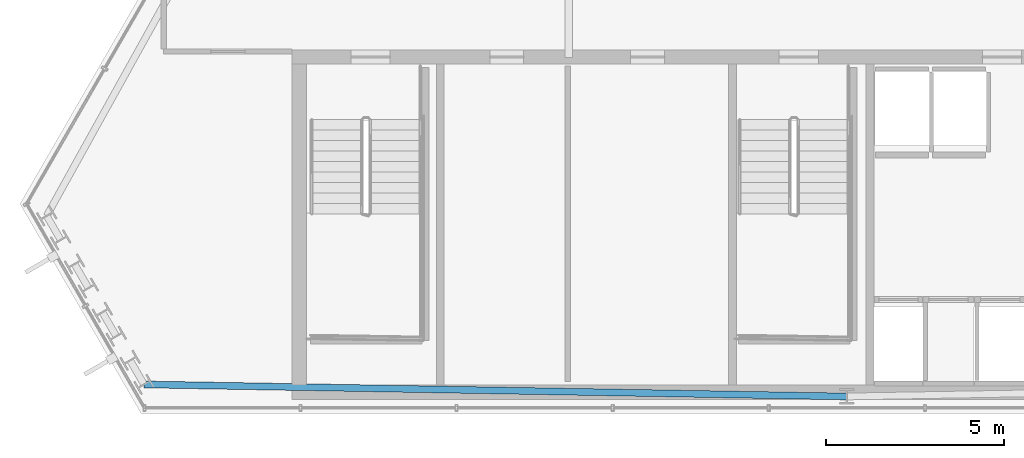
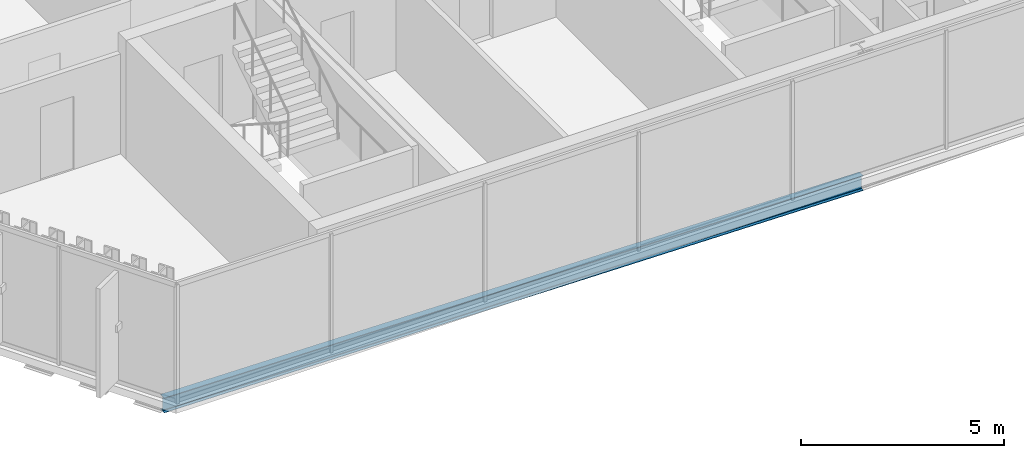
# One storey, part 3 of 29: 1 beam.
"""IFC4 building model written with IfcOpenShell, lengths in metres."""

from ifc_helpers import new_model, si_unit, direction, frame, origin, origin_2d, place, context, subcontext, project, spatial, i_section, extrude, material, material_profile, profile_set, type_object, element, save


model = new_model("IFC4")

# Units and contexts
model_context = context("Model", 3, precision=1e-05, world=origin(), true_north=direction((0.0, 1.0)))
body_context = subcontext(model_context, "Body", "Model", "MODEL_VIEW")
ifc_project = project(units=[si_unit("LENGTHUNIT", "METRE"), si_unit("AREAUNIT", "SQUARE_METRE"), si_unit("VOLUMEUNIT", "CUBIC_METRE"), si_unit("PLANEANGLEUNIT", "RADIAN"), si_unit("MASSUNIT", "GRAM", prefix="KILO")], contexts=[model_context])

# Site, building, storey
site_placement = place(None, origin())
site = spatial("IfcSite", under=ifc_project, at=site_placement, CompositionType="ELEMENT")
building_placement = place(site_placement, origin())
building = spatial("IfcBuilding", under=site, at=building_placement, Name="Ndaravel Arena Tower", CompositionType="ELEMENT")
storey_placement = place(building_placement, frame((0.0, 0.0, 244.60009765625)))
storey = spatial("IfcBuildingStorey", under=building, at=storey_placement, Name="L59", CompositionType="ELEMENT", Elevation=244.60009765625)

# Beam
ifc_material = material(Name="Steel S355", Category="steel")
ifc_material_profile = material_profile(ifc_material, i_section(OverallWidth=0.18994140625, OverallDepth=0.449951171875, WebThickness=0.009521484375, FlangeThickness=0.0146484375, FilletRadius=0.02099609375, at=origin_2d()), Name="IPE 450")
ifc_profile_set = profile_set([ifc_material_profile], Name="Steel S355")
beam_type = type_object("IfcBeamType", Name="BM-SPAN-IPE450", PredefinedType="SPANDREL", material=ifc_profile_set)
beam_placement = place(storey_placement, frame((22.2978515625, 5.817626953125, -0.445068359375), z_axis=(0.999853184589, -0.017135030412, 0.0), x_axis=(0.017135030412, 0.999853184589, 0.0)))
element("IfcBeam", 1, at=beam_placement, inside=storey, type_object=beam_type, Name="L59 Perimeter Spandrel Beam SP-27", PredefinedType="SPANDREL", context=body_context, shape_type="SweptSolid", body=[
    extrude(i_section(OverallWidth=0.18994140625, OverallDepth=0.449951171875, WebThickness=0.009521484375, FlangeThickness=0.0146484375, FilletRadius=0.02099609375, at=origin_2d()), origin(), (0.0, 0.0, 1.0), 19.705078125),
])

save(model, "model.ifc")
